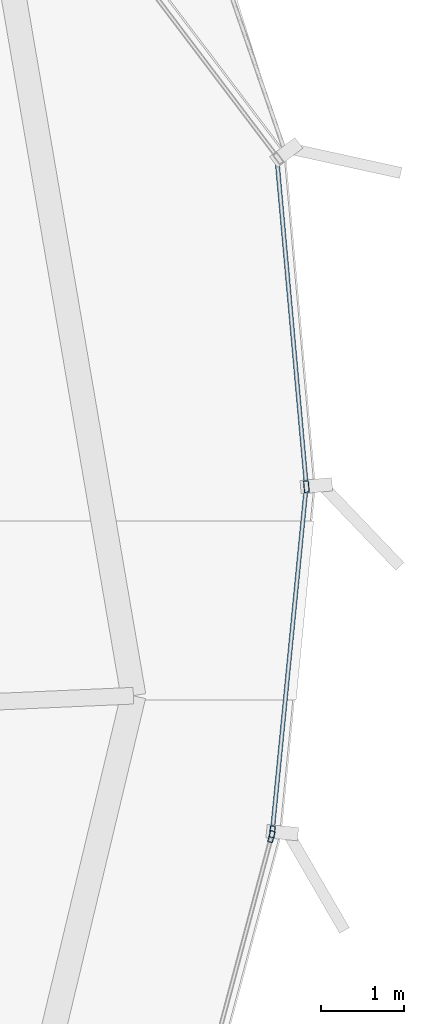
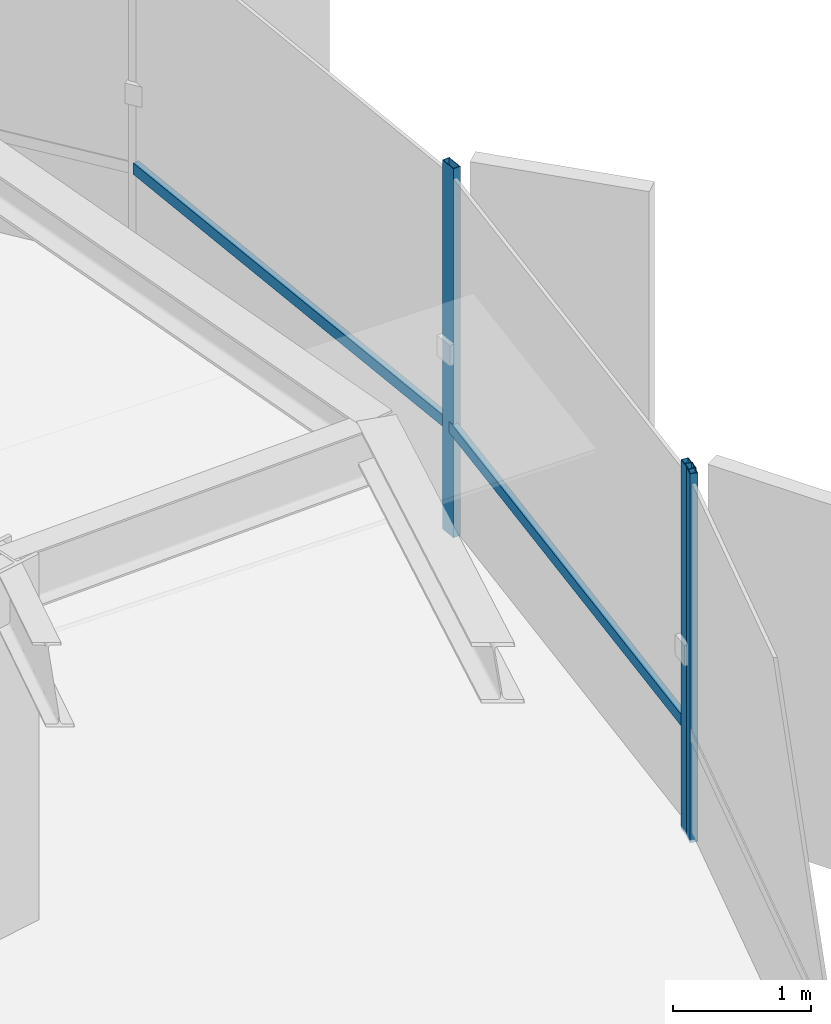
# One storey, part 19 of 34: 5 members, 2 elements without a shape of their own.
"""IFC4 building model written with IfcOpenShell, lengths in metres."""

from ifc_helpers import new_model, si_unit, direction, frame, origin, origin_2d, place, context, subcontext, project, spatial, hollow_rectangle, extrude, source, transform, mapped, material, layer, layer_set, material_profile, profile_set, type_object, element, aggregate, save


model = new_model("IFC4")

# Units and contexts
model_context = context("Model", 3, precision=1e-05, world=origin(), true_north=direction((0.0, 1.0)))
body_context = subcontext(model_context, "Body", "Model", "MODEL_VIEW")
ifc_project = project(units=[si_unit("LENGTHUNIT", "METRE"), si_unit("AREAUNIT", "SQUARE_METRE"), si_unit("VOLUMEUNIT", "CUBIC_METRE"), si_unit("PLANEANGLEUNIT", "RADIAN"), si_unit("MASSUNIT", "GRAM", prefix="KILO"), si_unit("THERMODYNAMICTEMPERATUREUNIT", "KELVIN")], contexts=[model_context])

# Site, building, storey
site_placement = place(None, origin())
site = spatial("IfcSite", under=ifc_project, at=site_placement, CompositionType="ELEMENT")
building_placement = place(site_placement, origin())
building = spatial("IfcBuilding", under=site, at=building_placement, Name="Kethvar Cultural Tower", CompositionType="ELEMENT")
storey_placement = place(building_placement, frame((0.0, 0.0, 190.39990234375)))
storey = spatial("IfcBuildingStorey", under=building, at=storey_placement, Name="L49", CompositionType="ELEMENT", Elevation=190.39990234375)

# Curtain wall, member
ifc_material = material(Name="Aluminium 6063-T6", Category="aluminium")
ifc_layer = layer(ifc_material, 0.179931640625, Name="Aluminium 6063-T6", Category="aluminium")
ifc_layer_set = layer_set([ifc_layer], Name="Aluminium 6063-T6 (180 mm)")
curtain_wall_type = type_object("IfcCurtainWallType", Name="CW-SYS-04-Z34", PredefinedType="NOTDEFINED", material=ifc_layer_set)
curtain_wall_1_placement = place(storey_placement, origin())
curtain_wall_1 = element("IfcCurtainWall", 1, at=curtain_wall_1_placement, inside=storey, type_object=curtain_wall_type, Name="L49 Curtain Wall Run 06", PredefinedType="NOTDEFINED")
ifc_material_profile_1 = material_profile(ifc_material, hollow_rectangle(XDim=0.06005859375, YDim=0.139892578125, WallThickness=0.0048828125, at=origin_2d()), Name="Aluminium 6063-T6 — RHS140x60x5")
ifc_profile_set_1 = profile_set([ifc_material_profile_1], Name="Aluminium 6063-T6 — RHS140x60x5")
member_type_1 = type_object("IfcMemberType", Name="CW-SYS-04-Z34-MUL", PredefinedType="MULLION", material=ifc_profile_set_1)
shared_shape_1 = source(origin(), body_context, "Body", "SweptSolid", [
    extrude(hollow_rectangle(XDim=0.06005859375, YDim=0.139892578125, WallThickness=0.0048828125, at=origin_2d()), origin(), (0.0, 0.0, 1.0), 3.260009765625),
])
member_1_placement = place(storey_placement, frame((71.418212890625, 30.180908203125, 0.0), z_axis=(0.0, 0.0, 1.0), x_axis=(-0.966079242524, 0.258245807642, 0.0)))
member_1 = element("IfcMember", 2, at=member_1_placement, type_object=member_type_1, Name="CW-L49-R06 Mullion 7", PredefinedType="MULLION", context=body_context, shape_type="MappedRepresentation", body=[
    mapped(shared_shape_1, transform((0.0, 0.0, 0.0), scale=1.0)),
])
aggregate(curtain_wall_1, [member_1])

# Curtain wall, members
curtain_wall_2_placement = place(storey_placement, origin())
curtain_wall_2 = element("IfcCurtainWall", 3, at=curtain_wall_2_placement, inside=storey, type_object=curtain_wall_type, Name="L49 Curtain Wall Run 07", PredefinedType="NOTDEFINED")
member_2_placement = place(storey_placement, frame((71.428955078125, 30.23974609375, 0.0), z_axis=(0.0, 0.0, 1.0), x_axis=(-0.995210353395, 0.097756598221, 0.0)))
member_2 = element("IfcMember", 4, at=member_2_placement, type_object=member_type_1, Name="CW-L49-R07 Mullion 1", PredefinedType="MULLION", context=body_context, shape_type="MappedRepresentation", body=[
    mapped(shared_shape_1, transform((0.0, 0.0, 0.0), scale=1.0)),
])
member_3_placement = place(storey_placement, frame((71.837646484375, 34.3818359375, 0.0), z_axis=(0.0, 0.0, 1.0), x_axis=(-0.995977198974, -0.089607026085, 0.0)))
member_3 = element("IfcMember", 5, at=member_3_placement, type_object=member_type_1, Name="CW-L49-R07 Mullion 2", PredefinedType="MULLION", context=body_context, shape_type="MappedRepresentation", body=[
    mapped(shared_shape_1, transform((0.0, 0.0, 0.0), scale=1.0)),
])
ifc_material_profile_2 = material_profile(ifc_material, hollow_rectangle(XDim=0.050048828125, YDim=0.10009765625, WallThickness=0.00390625, at=origin_2d()), Name="Aluminium 6063-T6 — RHS100x50x4")
ifc_profile_set_2 = profile_set([ifc_material_profile_2], Name="Aluminium 6063-T6 — RHS100x50x4")
member_type_2 = type_object("IfcMemberType", Name="CW-SYS-04-Z34-TRN", PredefinedType="USERDEFINED", material=ifc_profile_set_2)
shared_shape_2 = source(origin(), body_context, "Body", "SweptSolid", [
    extrude(hollow_rectangle(XDim=0.050048828125, YDim=0.10009765625, WallThickness=0.00390625, at=origin_2d()), origin(), (0.0, 0.0, 1.0), 4.135498046875),
])
member_4_placement = place(storey_placement, frame((71.42919921875, 30.243896484375, 0.9501953125), z_axis=(0.097761745634, 0.995209847766, 0.0), x_axis=(-0.995209847766, 0.097761745634, 0.0)))
member_4 = element("IfcMember", 6, at=member_4_placement, type_object=member_type_2, Name="CW-L49-R07 Transom 1", ObjectType="TRANSOM", PredefinedType="USERDEFINED", context=body_context, shape_type="MappedRepresentation", body=[
    mapped(shared_shape_2, transform((0.0, 0.0, 0.0), scale=1.0)),
])
shared_shape_3 = source(origin(), body_context, "Body", "SweptSolid", [
    extrude(hollow_rectangle(XDim=0.050048828125, YDim=0.10009765625, WallThickness=0.00390625, at=origin_2d()), origin(), (0.0, 0.0, 1.0), 3.9248046875),
])
member_5_placement = place(storey_placement, frame((71.833984375, 34.4248046875, 0.9501953125), z_axis=(-0.089638316554, 0.995974383308, 0.0), x_axis=(-0.995974383308, -0.089638316554, 0.0)))
member_5 = element("IfcMember", 7, at=member_5_placement, type_object=member_type_2, Name="CW-L49-R07 Transom 2", ObjectType="TRANSOM", PredefinedType="USERDEFINED", context=body_context, shape_type="MappedRepresentation", body=[
    mapped(shared_shape_3, transform((0.0, 0.0, 0.0), scale=1.0)),
])
aggregate(curtain_wall_2, [member_2, member_3, member_4, member_5])

save(model, "model.ifc")
